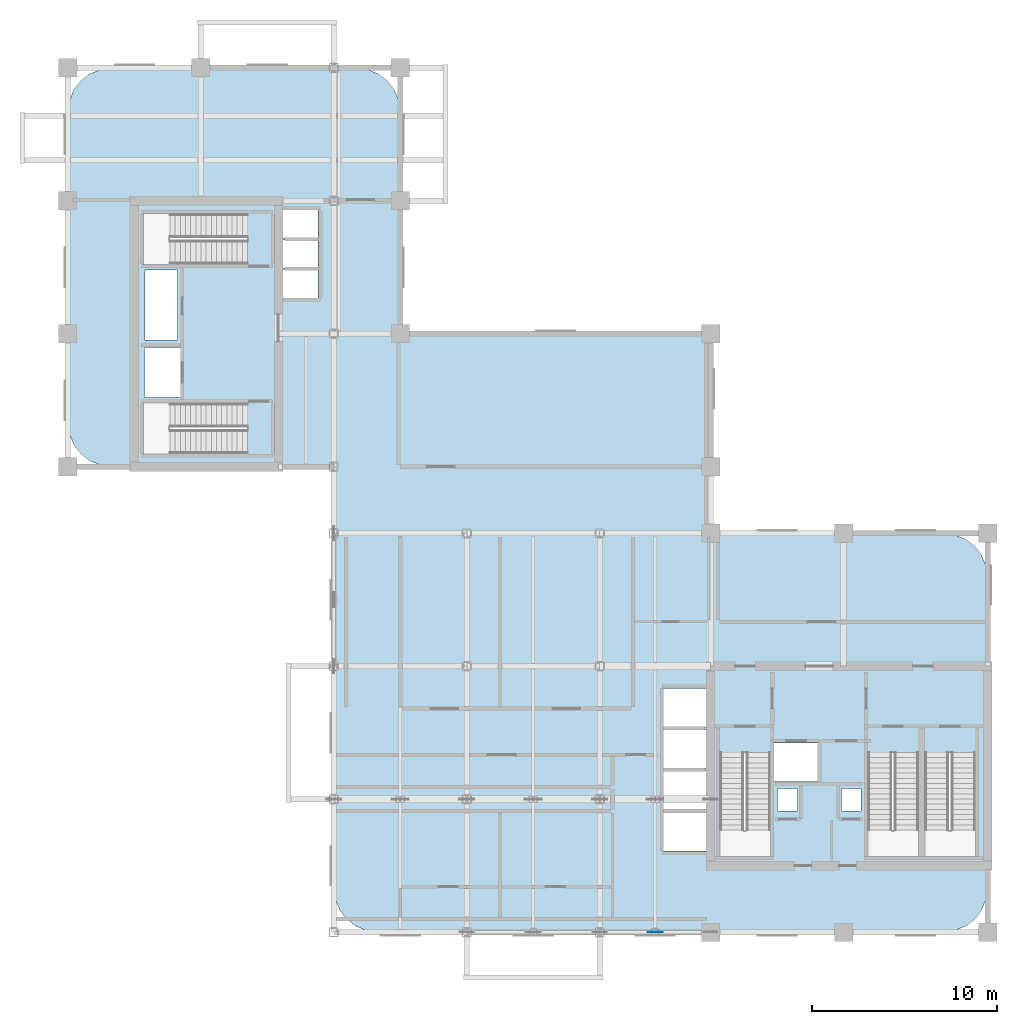
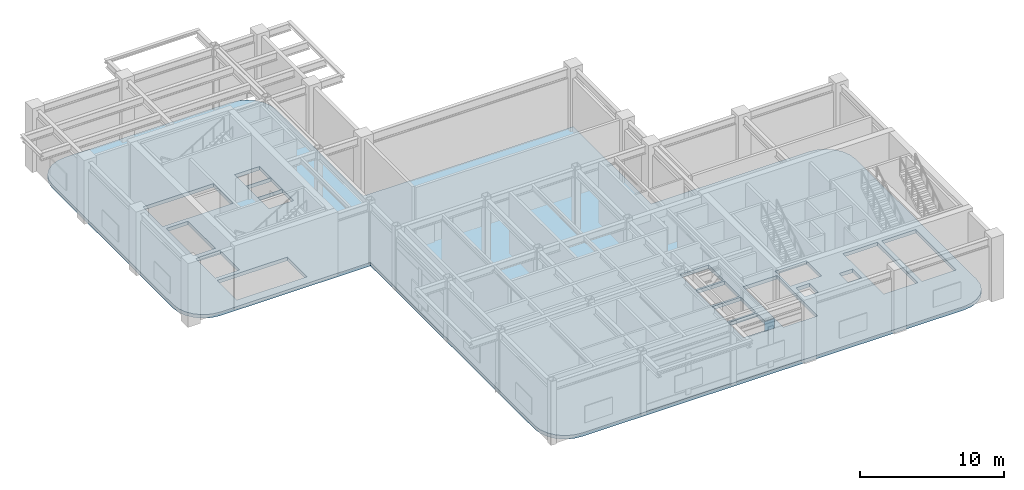
# One storey, part 4 of 10: 1 plate, 1 slab.
"""IFC4 building model written with IfcOpenShell, lengths in metres."""

from ifc_helpers import new_model, si_unit, derived_unit, direction, frame, origin, origin_2d, place, context, subcontext, project, spatial, polyline, rectangle, outline, extrude, source, transform, mapped, material, layer, layer_set, type_object, type_shapes, element, save


model = new_model("IFC4")

# Units and contexts
model_context = context("Model", 3, precision=1e-05, world=origin(), true_north=direction((0.0, 1.0)))
body_context = subcontext(model_context, "Body", "Model", "MODEL_VIEW")
ifc_project = project(units=[si_unit("LENGTHUNIT", "METRE"), si_unit("AREAUNIT", "SQUARE_METRE"), si_unit("VOLUMEUNIT", "CUBIC_METRE"), si_unit("PLANEANGLEUNIT", "RADIAN"), si_unit("MASSUNIT", "GRAM", prefix="KILO"), si_unit("THERMODYNAMICTEMPERATUREUNIT", "KELVIN"), si_unit("POWERUNIT", "WATT"), derived_unit("THERMALTRANSMITTANCEUNIT", [(si_unit("POWERUNIT", "WATT"), 1), (si_unit("AREAUNIT", "SQUARE_METRE"), -1), (si_unit("THERMODYNAMICTEMPERATUREUNIT", "KELVIN"), -1)])], contexts=[model_context])

# Site, building, storey
site_placement = place(None, origin())
site = spatial("IfcSite", under=ifc_project, at=site_placement, CompositionType="ELEMENT")
building_placement = place(site_placement, origin())
building = spatial("IfcBuilding", under=site, at=building_placement, Name="Zahravan Archway Hotel and Residences", CompositionType="ELEMENT")
storey_placement = place(building_placement, frame((0.0, 0.0, 196.5)))
storey = spatial("IfcBuildingStorey", under=building, at=storey_placement, Name="L49", CompositionType="ELEMENT", Elevation=196.5)

# Slab
ifc_material_1 = material(Name="Concrete C50/60", Category="concrete")
ifc_layer_1 = layer(ifc_material_1, 0.300048828125, Name="Concrete C50/60", Category="concrete")
ifc_layer_set_1 = layer_set([ifc_layer_1], Name="Concrete C50/60")
slab_type = type_object("IfcSlabType", Name="SLB-FLR-300", PredefinedType="FLOOR", material=ifc_layer_set_1)
slab_placement = place(storey_placement, frame((0.0, 0.0, -0.300048828125)))
element("IfcSlab", 1, at=slab_placement, inside=storey, type_object=slab_type, Name="L49 Floor Slab LB", PredefinedType="FLOOR", context=body_context, shape_type="SweptSolid", body=[
    extrude(outline(polyline([(34.800048828125, 21.60009765625), (34.800048828125, 32.39990234375), (18.0, 32.39990234375), (18.0, 44.39990234375), (17.918212890625, 45.021240234375), (17.678466796875, 45.60009765625), (17.297119140625, 46.09716796875), (16.800048828125, 46.478515625), (16.22119140625, 46.71826171875), (15.60009765625, 46.800048828125), (2.39990234375, 46.800048828125), (1.77880859375, 46.71826171875), (1.199951171875, 46.478515625), (0.702880859375, 46.09716796875), (0.321533203125, 45.60009765625), (0.081787109375, 45.021240234375), (0.0, 44.39990234375), (0.0, 27.60009765625), (0.081787109375, 26.978759765625), (0.321533203125, 26.39990234375), (0.702880859375, 25.90283203125), (1.199951171875, 25.521484375), (1.77880859375, 25.28173828125), (2.39990234375, 25.199951171875), (14.39990234375, 25.199951171875), (14.39990234375, 19.199951171875), (14.39990234375, 19.10009765625), (14.39990234375, 2.39990234375), (14.481689453125, 1.77880859375), (14.721435546875, 1.199951171875), (15.102783203125, 0.702880859375), (15.60009765625, 0.321533203125), (16.1787109375, 0.081787109375), (16.800048828125, 0.0), (47.39990234375, 0.0), (48.021240234375, 0.081787109375), (48.60009765625, 0.321533203125), (49.09716796875, 0.702880859375), (49.478515625, 1.199951171875), (49.71826171875, 1.77880859375), (49.800048828125, 2.39990234375), (49.800048828125, 19.199951171875), (49.71826171875, 19.8212890625), (49.478515625, 20.39990234375), (49.09716796875, 20.897216796875), (48.60009765625, 21.278564453125), (48.021240234375, 21.518310546875), (47.39990234375, 21.60009765625), (34.800048828125, 21.60009765625)]), holes=[polyline([(35.300048828125, 9.72998046875), (35.300048828125, 4.10009765625), (38.0400390625, 4.10009765625), (38.0400390625, 9.72998046875), (35.300048828125, 9.72998046875)]), polyline([(43.320068359375, 9.72998046875), (43.320068359375, 4.10009765625), (46.06005859375, 4.10009765625), (46.06005859375, 9.72998046875), (43.320068359375, 9.72998046875)]), polyline([(46.39990234375, 9.72998046875), (46.39990234375, 4.10009765625), (49.139892578125, 4.10009765625), (49.139892578125, 9.72998046875), (46.39990234375, 9.72998046875)]), polyline([(9.72998046875, 28.639892578125), (4.10009765625, 28.639892578125), (4.10009765625, 25.89990234375), (9.72998046875, 25.89990234375), (9.72998046875, 28.639892578125)]), polyline([(9.72998046875, 38.89990234375), (4.10009765625, 38.89990234375), (4.10009765625, 36.159912109375), (9.72998046875, 36.159912109375), (9.72998046875, 38.89990234375)]), polyline([(38.179931640625, 8.14990234375), (40.699951171875, 8.14990234375), (40.699951171875, 10.25), (38.179931640625, 10.25), (38.179931640625, 8.14990234375)]), polyline([(4.14990234375, 28.949951171875), (6.10009765625, 28.949951171875), (6.10009765625, 31.64990234375), (4.14990234375, 31.64990234375), (4.14990234375, 28.949951171875)]), polyline([(11.550048828125, 34.35009765625), (13.550048828125, 34.35009765625), (13.550048828125, 35.889892578125), (11.550048828125, 35.889892578125), (11.550048828125, 34.35009765625)]), polyline([(11.550048828125, 35.949951171875), (13.550048828125, 35.949951171875), (13.550048828125, 37.489990234375), (11.550048828125, 37.489990234375), (11.550048828125, 35.949951171875)]), polyline([(11.550048828125, 37.550048828125), (13.550048828125, 37.550048828125), (13.550048828125, 39.090087890625), (11.550048828125, 39.090087890625), (11.550048828125, 37.550048828125)]), polyline([(32.25, 4.39990234375), (34.550048828125, 4.39990234375), (34.550048828125, 6.47998046875), (32.25, 6.47998046875), (32.25, 4.39990234375)]), polyline([(32.25, 6.639892578125), (34.550048828125, 6.639892578125), (34.550048828125, 8.719970703125), (32.25, 8.719970703125), (32.25, 6.639892578125)]), polyline([(32.25, 8.8798828125), (34.550048828125, 8.8798828125), (34.550048828125, 10.9599609375), (32.25, 10.9599609375), (32.25, 8.8798828125)]), polyline([(32.25, 11.1201171875), (34.550048828125, 11.1201171875), (34.550048828125, 13.199951171875), (32.25, 13.199951171875), (32.25, 11.1201171875)]), polyline([(38.419921875, 6.56005859375), (39.5, 6.56005859375), (39.5, 7.780029296875), (38.419921875, 7.780029296875), (38.419921875, 6.56005859375)]), polyline([(41.89990234375, 6.56005859375), (42.9599609375, 6.56005859375), (42.9599609375, 7.780029296875), (41.89990234375, 7.780029296875), (41.89990234375, 6.56005859375)]), polyline([(4.179931640625, 32.050048828125), (5.93994140625, 32.050048828125), (5.93994140625, 35.840087890625), (4.179931640625, 35.840087890625), (4.179931640625, 32.050048828125)])]), origin(), (0.0, 0.0, 1.0), 0.300048828125),
])

# Plate
ifc_material_2 = material(Name="Structural Steel S355J2", Category="steel")
ifc_layer_2 = layer(ifc_material_2, 0.031982421875, Name="Structural Steel S355J2", Category="steel")
ifc_layer_set_2 = layer_set([ifc_layer_2], Name="Structural Steel S355J2")
plate_type = type_object("IfcPlateType", Name="PLT-GUS-BN1", PredefinedType="USERDEFINED", material=ifc_layer_set_2)
shared_shape = source(origin(), body_context, "Body", "SweptSolid", [
    extrude(rectangle(XDim=0.800048828125, YDim=0.031982421875, at=origin_2d()), origin(), (0.0, 0.0, 1.0), 0.800048828125),
])
type_shapes(plate_type, [shared_shape])
plate_placement = place(storey_placement, frame((31.800048828125, 0.0, 3.5), z_axis=(0.0, 0.0, 1.0), x_axis=(1.0, 0.0, 0.0)))
element("IfcPlate", 2, at=plate_placement, inside=storey, type_object=plate_type, Name="L49 Belt Truss Gusset Plate BN1-2", ObjectType="GUSSET", PredefinedType="USERDEFINED", context=body_context, shape_type="MappedRepresentation", body=[
    mapped(shared_shape, transform((0.0, 0.0, 0.0), scale=1.0)),
])

save(model, "model.ifc")
